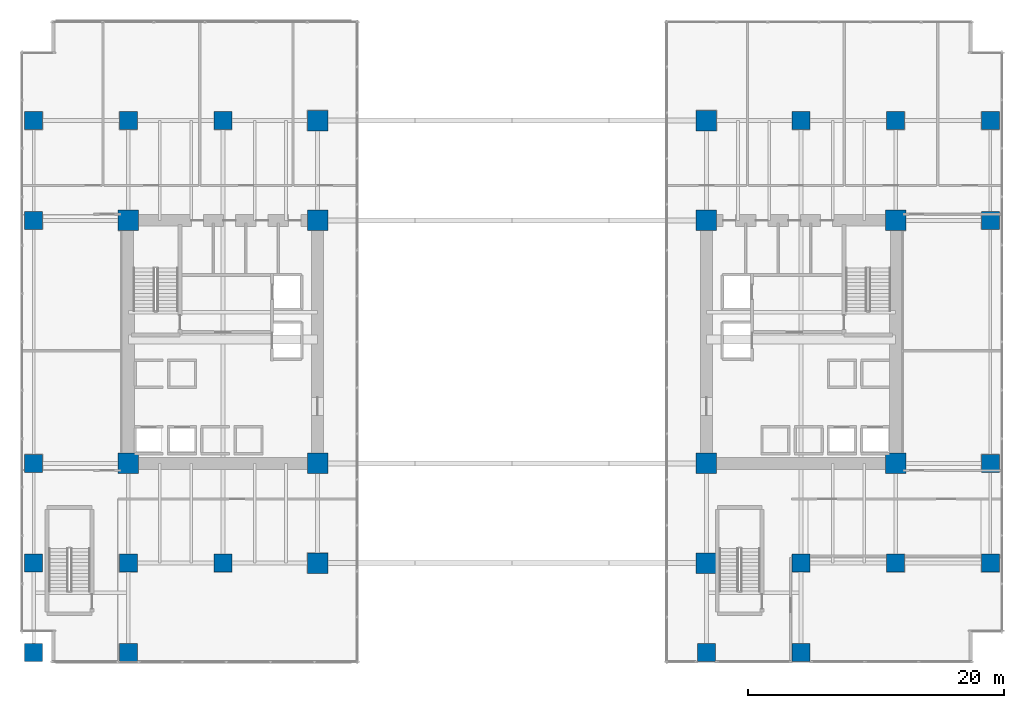
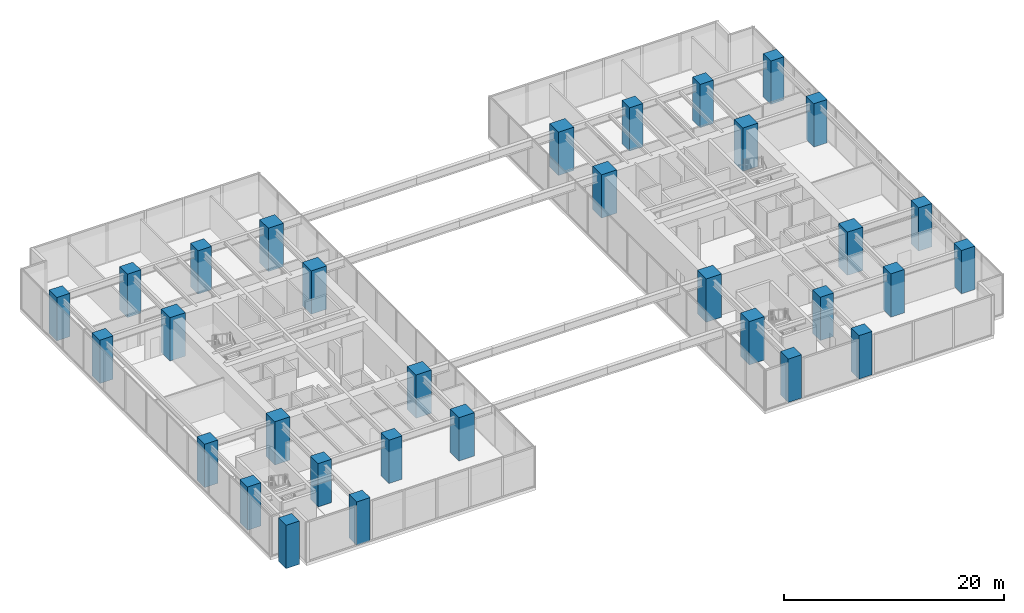
# One storey, part 1 of 39: 32 columns.
"""IFC4 building model written with IfcOpenShell, lengths in metres."""

from ifc_helpers import new_model, si_unit, direction, frame, origin, origin_2d, place, context, subcontext, project, spatial, rectangle, extrude, source, transform, mapped, material, material_profile, profile_set, type_object, type_shapes, element, save


model = new_model("IFC4")

# Units and contexts
model_context = context("Model", 3, precision=1e-05, world=origin(), true_north=direction((0.0, 1.0)))
body_context = subcontext(model_context, "Body", "Model", "MODEL_VIEW")
ifc_project = project(units=[si_unit("LENGTHUNIT", "METRE"), si_unit("AREAUNIT", "SQUARE_METRE"), si_unit("VOLUMEUNIT", "CUBIC_METRE"), si_unit("PLANEANGLEUNIT", "RADIAN"), si_unit("MASSUNIT", "GRAM", prefix="KILO")], contexts=[model_context])

# Site, building, storey
site_placement = place(None, origin())
site = spatial("IfcSite", under=ifc_project, at=site_placement, CompositionType="ELEMENT")
building_placement = place(site_placement, origin())
building = spatial("IfcBuilding", under=site, at=building_placement, Name="Haelvirn Gate Laboratories", CompositionType="ELEMENT")
storey_placement = place(building_placement, frame((0.0, 0.0, 15.0)))
storey = spatial("IfcBuildingStorey", under=building, at=storey_placement, Name="L04", CompositionType="ELEMENT", Elevation=15.0)

# Columns
ifc_material = material(Name="Concrete C70/85", Category="concrete")
ifc_material_profile_1 = material_profile(ifc_material, rectangle(XDim=1.39990234375, YDim=1.39990234375, at=origin_2d()), Name="SRC-1400x1400")
ifc_profile_set_1 = profile_set([ifc_material_profile_1], Name="Concrete C70/85")
column_type_1 = type_object("IfcColumnType", Name="COL-SRC-1400", PredefinedType="COLUMN", material=ifc_profile_set_1)
shared_shape_1 = source(origin(), body_context, "Body", "SweptSolid", [
    extrude(rectangle(XDim=1.39990234375, YDim=1.39990234375, at=origin_2d()), origin(), (0.0, 0.0, 1.0), 4.800048828125),
])
type_shapes(column_type_1, [shared_shape_1])
for number, where, z_axis, x_axis, name in (
    (1, (14.800048828125, 7.0, 0.0), (0.0, 0.0, 1.0), (1.0, 0.0, 0.0), "L04 Column 3B"),
    (2, (14.800048828125, 41.60009765625, 0.0), (0.0, 0.0, 1.0), (1.0, 0.0, 0.0), "L04 Column 3G"),
    (3, (60.0, 7.0, 0.0), (0.0, 0.0, 1.0), (1.0, 0.0, 0.0), "L04 Column 9B"),
    (4, (60.0, 41.60009765625, 0.0), (0.0, 0.0, 1.0), (1.0, 0.0, 0.0), "L04 Column 9G"),
    (5, (7.39990234375, 7.0, 0.0), (0.0, 0.0, 1.0), (1.0, 0.0, 0.0), "L04 Column 2B"),
    (6, (7.39990234375, 41.60009765625, 0.0), (0.0, 0.0, 1.0), (1.0, 0.0, 0.0), "L04 Column 2G"),
    (7, (67.39990234375, 7.0, 0.0), (0.0, 0.0, 1.0), (1.0, 0.0, 0.0), "L04 Column 10B"),
    (8, (67.39990234375, 41.60009765625, 0.0), (0.0, 0.0, 1.0), (1.0, 0.0, 0.0), "L04 Column 10G"),
    (9, (0.0, 7.0, 0.0), (0.0, 0.0, 1.0), (1.0, 0.0, 0.0), "L04 Column 1B"),
    (10, (0.0, 14.800048828125, 0.0), (0.0, 0.0, 1.0), (1.0, 0.0, 0.0), "L04 Column 1C"),
    (11, (0.0, 33.800048828125, 0.0), (0.0, 0.0, 1.0), (1.0, 0.0, 0.0), "L04 Column 1F"),
    (12, (0.0, 41.60009765625, 0.0), (0.0, 0.0, 1.0), (1.0, 0.0, 0.0), "L04 Column 1G"),
    (13, (74.800048828125, 7.0, 0.0), (0.0, 0.0, 1.0), (1.0, 0.0, 0.0), "L04 Column 11B"),
    (14, (74.800048828125, 14.800048828125, 0.0), (0.0, 0.0, 1.0), (1.0, 0.0, 0.0), "L04 Column 11C"),
    (15, (74.800048828125, 33.800048828125, 0.0), (0.0, 0.0, 1.0), (1.0, 0.0, 0.0), "L04 Column 11F"),
    (16, (74.800048828125, 41.60009765625, 0.0), (0.0, 0.0, 1.0), (1.0, 0.0, 0.0), "L04 Column 11G"),
    (17, (0.0, 0.0, 0.0), (0.0, 0.0, 1.0), (1.0, 0.0, 0.0), "L04 Column 1A"),
    (18, (7.39990234375, 0.0, 0.0), (0.0, 0.0, 1.0), (1.0, 0.0, 0.0), "L04 Column 2A"),
    (19, (52.60009765625, 0.0, 0.0), (0.0, 0.0, 1.0), (1.0, 0.0, 0.0), "L04 Column 8A"),
    (20, (60.0, 0.0, 0.0), (0.0, 0.0, 1.0), (1.0, 0.0, 0.0), "L04 Column 9A"),
):
    element("IfcColumn", number, at=place(storey_placement, frame(where, z_axis=z_axis, x_axis=x_axis)), inside=storey, type_object=column_type_1, Name=name, PredefinedType="COLUMN", context=body_context, shape_type="MappedRepresentation", body=[
        mapped(shared_shape_1, transform((0.0, 0.0, 0.0), scale=1.0)),
    ])
ifc_material_profile_2 = material_profile(ifc_material, rectangle(XDim=1.60009765625, YDim=1.60009765625, at=origin_2d()), Name="SRC-1600x1600")
ifc_profile_set_2 = profile_set([ifc_material_profile_2], Name="Concrete C70/85")
column_type_2 = type_object("IfcColumnType", Name="COL-SRC-1600", PredefinedType="COLUMN", material=ifc_profile_set_2)
shared_shape_2 = source(origin(), body_context, "Body", "SweptSolid", [
    extrude(rectangle(XDim=1.60009765625, YDim=1.60009765625, at=origin_2d()), origin(), (0.0, 0.0, 1.0), 4.800048828125),
])
type_shapes(column_type_2, [shared_shape_2])
for number, where, z_axis, x_axis, name in (
    (21, (22.199951171875, 7.0, 0.0), (0.0, 0.0, 1.0), (1.0, 0.0, 0.0), "L04 Column 4B"),
    (22, (7.39990234375, 14.800048828125, 0.0), (0.0, 0.0, 1.0), (1.0, 0.0, 0.0), "L04 Column 2C"),
    (23, (22.199951171875, 14.800048828125, 0.0), (0.0, 0.0, 1.0), (1.0, 0.0, 0.0), "L04 Column 4C"),
    (24, (7.39990234375, 33.800048828125, 0.0), (0.0, 0.0, 1.0), (1.0, 0.0, 0.0), "L04 Column 2F"),
    (25, (22.199951171875, 33.800048828125, 0.0), (0.0, 0.0, 1.0), (1.0, 0.0, 0.0), "L04 Column 4F"),
    (26, (22.199951171875, 41.60009765625, 0.0), (0.0, 0.0, 1.0), (1.0, 0.0, 0.0), "L04 Column 4G"),
    (27, (52.60009765625, 7.0, 0.0), (0.0, 0.0, 1.0), (1.0, 0.0, 0.0), "L04 Column 8B"),
    (28, (52.60009765625, 14.800048828125, 0.0), (0.0, 0.0, 1.0), (1.0, 0.0, 0.0), "L04 Column 8C"),
    (29, (67.39990234375, 14.800048828125, 0.0), (0.0, 0.0, 1.0), (1.0, 0.0, 0.0), "L04 Column 10C"),
    (30, (52.60009765625, 33.800048828125, 0.0), (0.0, 0.0, 1.0), (1.0, 0.0, 0.0), "L04 Column 8F"),
    (31, (67.39990234375, 33.800048828125, 0.0), (0.0, 0.0, 1.0), (1.0, 0.0, 0.0), "L04 Column 10F"),
    (32, (52.60009765625, 41.60009765625, 0.0), (0.0, 0.0, 1.0), (1.0, 0.0, 0.0), "L04 Column 8G"),
):
    element("IfcColumn", number, at=place(storey_placement, frame(where, z_axis=z_axis, x_axis=x_axis)), inside=storey, type_object=column_type_2, Name=name, PredefinedType="COLUMN", context=body_context, shape_type="MappedRepresentation", body=[
        mapped(shared_shape_2, transform((0.0, 0.0, 0.0), scale=1.0)),
    ])

save(model, "model.ifc")
